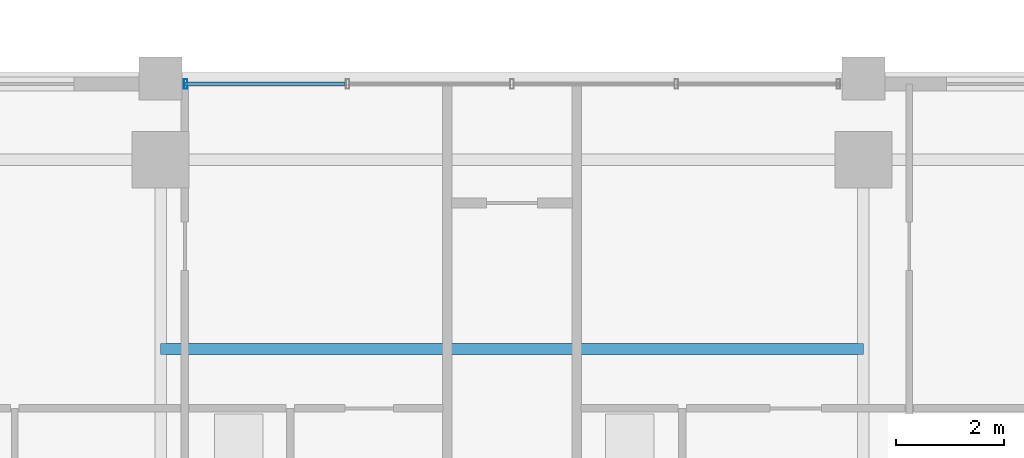
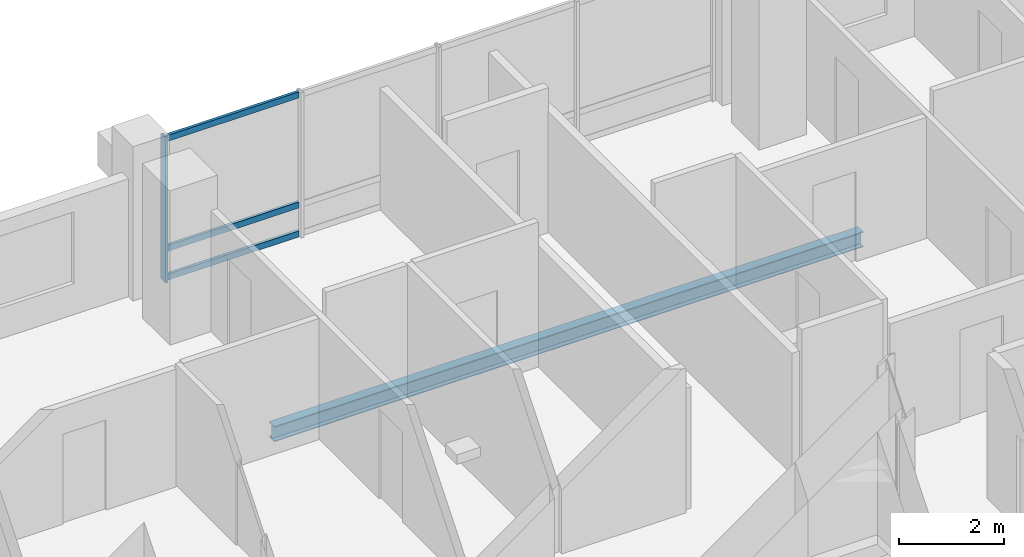
# One storey, part 13 of 24: 4 members, 1 beam, 1 element without a shape of its own.
"""IFC4 building model written with IfcOpenShell, lengths in metres."""

from ifc_helpers import new_model, si_unit, direction, frame, origin, origin_2d, place, context, subcontext, project, spatial, hollow_rectangle, i_section, extrude, material, layer, layer_set, material_profile, profile_set, type_object, element, aggregate, save


model = new_model("IFC4")

# Units and contexts
model_context = context("Model", 3, precision=1e-05, world=origin(), true_north=direction((0.0, 1.0)))
body_context = subcontext(model_context, "Body", "Model", "MODEL_VIEW")
ifc_project = project(units=[si_unit("LENGTHUNIT", "METRE"), si_unit("AREAUNIT", "SQUARE_METRE"), si_unit("VOLUMEUNIT", "CUBIC_METRE"), si_unit("PLANEANGLEUNIT", "RADIAN"), si_unit("MASSUNIT", "GRAM", prefix="KILO")], contexts=[model_context])

# Site, building, storey
site_placement = place(None, origin())
site = spatial("IfcSite", under=ifc_project, at=site_placement, CompositionType="ELEMENT")
building_placement = place(site_placement, origin())
building = spatial("IfcBuilding", under=site, at=building_placement, Name="Barlavira Tower and Art Museum", CompositionType="ELEMENT")
storey_placement = place(building_placement, frame((0.0, 0.0, 169.199951171875)))
storey = spatial("IfcBuildingStorey", under=building, at=storey_placement, Name="L43", CompositionType="ELEMENT", Elevation=169.199951171875)

# Curtain wall, members
ifc_material_1 = material(Name="Low-iron coastal laminated glass", Category="glass")
ifc_layer = layer(ifc_material_1, 0.199951171875, Name="Low-iron coastal laminated glass")
ifc_layer_set = layer_set([ifc_layer], Name="Low-iron coastal laminated glass")
curtain_wall_type = type_object("IfcCurtainWallType", Name="Pale-Metal Unitised Curtain Wall Zone 3", PredefinedType="NOTDEFINED", material=ifc_layer_set)
curtain_wall_placement = place(storey_placement, origin())
curtain_wall = element("IfcCurtainWall", 1, at=curtain_wall_placement, inside=storey, type_object=curtain_wall_type, Name="L43 Curtain Wall CW3-L43-N-B3", PredefinedType="NOTDEFINED")
ifc_material_2 = material(Name="Pale anodised aluminium", Category="aluminium")
ifc_material_profile_1 = material_profile(ifc_material_2, hollow_rectangle(XDim=0.06494140625, YDim=0.179931640625, WallThickness=0.00390625, at=origin_2d()), Name="ALU-MULL 65x180x4")
ifc_profile_set_1 = profile_set([ifc_material_profile_1], Name="Pale anodised aluminium")
member_type_1 = type_object("IfcMemberType", Name="Curtain Wall Pale-Metal Mullion 65x180", PredefinedType="MULLION", material=ifc_profile_set_1)
member_1_placement = place(storey_placement, frame((-6.034912109375, 21.39990234375, 0.0), z_axis=(0.0, 0.0, 1.0), x_axis=(-1.0, 0.0, 0.0)))
member_1 = element("IfcMember", 2, at=member_1_placement, type_object=member_type_1, Name="CW3-L43-N-B3 Mullion 4", PredefinedType="MULLION", context=body_context, shape_type="SweptSolid", body=[
    extrude(hollow_rectangle(XDim=0.06494140625, YDim=0.179931640625, WallThickness=0.00390625, at=origin_2d()), origin(), (0.0, 0.0, 1.0), 3.380126953125),
])
ifc_material_profile_2 = material_profile(ifc_material_2, hollow_rectangle(XDim=0.06494140625, YDim=0.139892578125, WallThickness=0.00390625, at=origin_2d()), Name="ALU-TRAN 65x140x4")
ifc_profile_set_2 = profile_set([ifc_material_profile_2], Name="Pale anodised aluminium")
member_type_2 = type_object("IfcMemberType", Name="Curtain Wall Pale-Metal Transom 65x140", PredefinedType="USERDEFINED", material=ifc_profile_set_2)
member_2_placement = place(storey_placement, frame((-3.0849609375, 21.39990234375, 0.070068359375), z_axis=(-1.0, 0.0, 0.0), x_axis=(0.0, -1.0, 0.0)))
member_2 = element("IfcMember", 3, at=member_2_placement, type_object=member_type_2, Name="CW3-L43-N-B3 Transom 3.1", ObjectType="TRANSOM", PredefinedType="USERDEFINED", context=body_context, shape_type="SweptSolid", body=[
    extrude(hollow_rectangle(XDim=0.06494140625, YDim=0.139892578125, WallThickness=0.00390625, at=origin_2d()), origin(), (0.0, 0.0, 1.0), 2.949951171875),
])
member_3_placement = place(storey_placement, frame((-3.0849609375, 21.39990234375, 0.744140625), z_axis=(-1.0, 0.0, 0.0), x_axis=(0.0, -1.0, 0.0)))
member_3 = element("IfcMember", 4, at=member_3_placement, type_object=member_type_2, Name="CW3-L43-N-B3 Transom 3.2", ObjectType="TRANSOM", PredefinedType="USERDEFINED", context=body_context, shape_type="SweptSolid", body=[
    extrude(hollow_rectangle(XDim=0.06494140625, YDim=0.139892578125, WallThickness=0.00390625, at=origin_2d()), origin(), (0.0, 0.0, 1.0), 2.949951171875),
])
member_4_placement = place(storey_placement, frame((-3.0849609375, 21.39990234375, 3.31005859375), z_axis=(-1.0, 0.0, 0.0), x_axis=(0.0, -1.0, 0.0)))
member_4 = element("IfcMember", 5, at=member_4_placement, type_object=member_type_2, Name="CW3-L43-N-B3 Transom 3.3", ObjectType="TRANSOM", PredefinedType="USERDEFINED", context=body_context, shape_type="SweptSolid", body=[
    extrude(hollow_rectangle(XDim=0.06494140625, YDim=0.139892578125, WallThickness=0.00390625, at=origin_2d()), origin(), (0.0, 0.0, 1.0), 2.949951171875),
])
aggregate(curtain_wall, [member_1, member_2, member_3, member_4])

# Beam
ifc_material_3 = material(Name="Steel S355", Category="steel")
ifc_material_profile_3 = material_profile(ifc_material_3, i_section(OverallWidth=0.205078125, OverallDepth=0.35400390625, WebThickness=0.009521484375, FlangeThickness=0.016845703125, at=origin_2d()), Name="W360x79.0")
ifc_profile_set_3 = profile_set([ifc_material_profile_3], Name="Steel S355")
beam_type = type_object("IfcBeamType", Name="Zone 3 Composite Floor Joist W360x79 Steel S355", PredefinedType="JOIST", material=ifc_profile_set_3)
beam_placement = place(storey_placement, frame((-6.5, 16.5, -0.39697265625), z_axis=(1.0, 0.0, 0.0), x_axis=(0.0, 1.0, 0.0)))
element("IfcBeam", 6, at=beam_placement, inside=storey, type_object=beam_type, Name="L43 Joist C2", PredefinedType="JOIST", context=body_context, shape_type="SweptSolid", body=[
    extrude(i_section(OverallWidth=0.205078125, OverallDepth=0.35400390625, WebThickness=0.009521484375, FlangeThickness=0.016845703125, at=origin_2d()), origin(), (0.0, 0.0, 1.0), 13.0),
])

save(model, "model.ifc")
